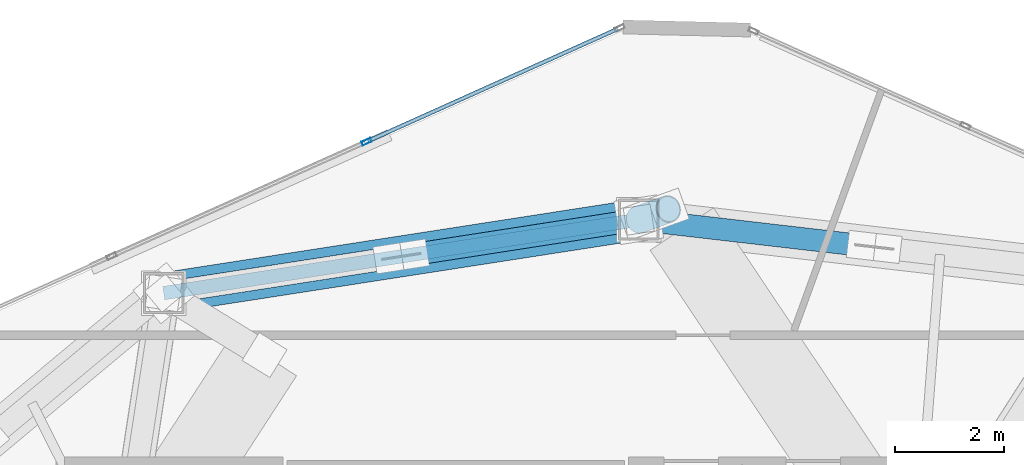
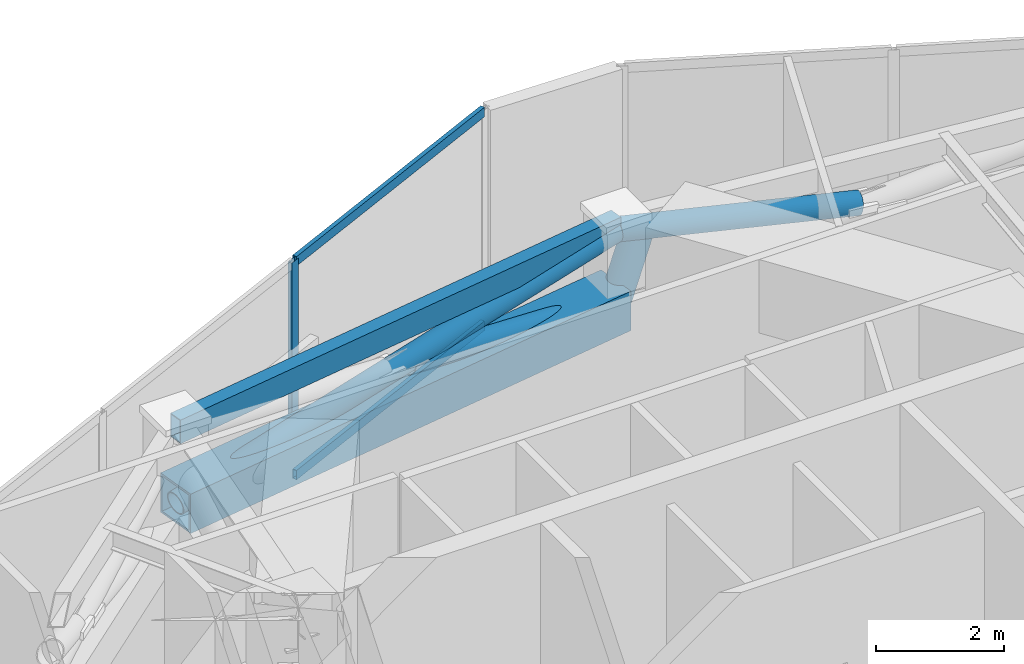
# One storey, part 13 of 21: 8 members, 1 beam, 1 element without a shape of its own.
"""IFC4 building model written with IfcOpenShell, lengths in metres."""

from ifc_helpers import new_model, si_unit, direction, frame, origin, origin_2d, place, context, subcontext, project, spatial, hollow_rectangle, hollow_circle, extrude, source, transform, mapped, material, layer, layer_set, material_profile, profile_set, type_object, type_shapes, element, aggregate, save


model = new_model("IFC4")

# Units and contexts
model_context = context("Model", 3, precision=1e-05, world=origin(), true_north=direction((0.0, 1.0)))
body_context = subcontext(model_context, "Body", "Model", "MODEL_VIEW")
ifc_project = project(units=[si_unit("LENGTHUNIT", "METRE"), si_unit("AREAUNIT", "SQUARE_METRE"), si_unit("VOLUMEUNIT", "CUBIC_METRE"), si_unit("PLANEANGLEUNIT", "RADIAN"), si_unit("MASSUNIT", "GRAM", prefix="KILO")], contexts=[model_context])

# Site, building, storey
site_placement = place(None, origin())
site = spatial("IfcSite", under=ifc_project, at=site_placement, CompositionType="ELEMENT")
building_placement = place(site_placement, origin())
building = spatial("IfcBuilding", under=site, at=building_placement, Name="Talar Marvaseh", CompositionType="ELEMENT")
storey_placement = place(building_placement, frame((0.0, 0.0, 162.39990234375)))
storey = spatial("IfcBuildingStorey", under=building, at=storey_placement, Name="L42", CompositionType="ELEMENT", Elevation=162.39990234375)

# Beam
ifc_material_1 = material(Name="Steel S355", Category="steel")
ifc_material_profile_1 = material_profile(ifc_material_1, hollow_rectangle(XDim=0.25, YDim=0.449951171875, WallThickness=0.01611328125, at=origin_2d()), Name="RHS450x250x16")
ifc_profile_set_1 = profile_set([ifc_material_profile_1], Name="Steel S355")
beam_type = type_object("IfcBeamType", Name="Zone 2 Perimeter Spandrel Beam RHS450x250x16", PredefinedType="SPANDREL", material=ifc_profile_set_1)
beam_placement = place(storey_placement, frame((19.5009765625, 42.123046875, 3.925048828125), z_axis=(0.988248879948, 0.152853365295, 0.0), x_axis=(-0.152853365295, 0.988248879948, 0.0)))
element("IfcBeam", 1, at=beam_placement, inside=storey, type_object=beam_type, Name="L42 Zone 2 Perimeter Spandrel Beam RHS450x250x16", PredefinedType="SPANDREL", context=body_context, shape_type="SweptSolid", body=[
    extrude(hollow_rectangle(XDim=0.25, YDim=0.449951171875, WallThickness=0.01611328125, at=origin_2d()), origin(), (0.0, 0.0, 1.0), 8.82470703125),
])

# Members
ifc_material_2 = material(Name="Steel S460", Category="steel")
ifc_material_profile_2 = material_profile(ifc_material_2, hollow_circle(Radius=0.25390625, WallThickness=0.02001953125, at=origin_2d()), Name="CHS508x20")
ifc_profile_set_2 = profile_set([ifc_material_profile_2], Name="Steel S460")
member_type_1 = type_object("IfcMemberType", Name="Crown Frame Diagonal Brace CHS508x20", PredefinedType="BRACE", material=ifc_profile_set_2)
shared_shape_1 = source(origin(), body_context, "Body", "SweptSolid", [
    extrude(hollow_circle(Radius=0.25390625, WallThickness=0.02001953125, at=origin_2d()), origin(), (0.0, 0.0, 1.0), 1.242919921875),
])
type_shapes(member_type_1, [shared_shape_1])
member_1_placement = place(storey_placement, frame((28.221923828125, 43.471923828125, 2.550048828125), z_axis=(0.437839871689, 0.157732353955, 0.885108327424), x_axis=(-0.338928705408, 0.940812060217, 0.0)))
element("IfcMember", 2, at=member_1_placement, inside=storey, type_object=member_type_1, Name="L42 Setback Transfer Raked Strut 1", PredefinedType="BRACE", context=body_context, shape_type="MappedRepresentation", body=[
    mapped(shared_shape_1, transform((0.0, 0.0, 0.0), x_axis=(1.0, 0.0, 0.0), y_axis=(0.0, 1.0, 0.0), z_axis=(0.0, 0.0, 1.0), scale=1.0)),
])
ifc_material_profile_3 = material_profile(ifc_material_2, hollow_rectangle(XDim=0.75, YDim=0.75, WallThickness=0.0400390625, at=origin_2d()), Name="BOX750x750x40")
ifc_profile_set_3 = profile_set([ifc_material_profile_3], Name="Steel S460")
member_type_2 = type_object("IfcMemberType", Name="Belt Truss Chord Member BOX750x750x40", PredefinedType="CHORD", material=ifc_profile_set_3)
shared_shape_2 = source(origin(), body_context, "Body", "SweptSolid", [
    extrude(hollow_rectangle(XDim=0.75, YDim=0.75, WallThickness=0.0400390625, at=origin_2d()), origin(), (0.0, 0.0, 1.0), 8.82470703125),
])
type_shapes(member_type_2, [shared_shape_2])
member_2_placement = place(storey_placement, frame((19.5009765625, 42.123046875, 2.5), z_axis=(0.988248879948, 0.152853365295, 0.0), x_axis=(-0.152853365295, 0.988248879948, 0.0)))
element("IfcMember", 3, at=member_2_placement, inside=storey, type_object=member_type_2, Name="L42 Belt Truss Bottom Chord 11", PredefinedType="CHORD", context=body_context, shape_type="MappedRepresentation", body=[
    mapped(shared_shape_2, transform((0.0, 0.0, 0.0), x_axis=(1.0, 0.0, 0.0), y_axis=(0.0, 1.0, 0.0), z_axis=(0.0, 0.0, 1.0), scale=1.0)),
])
ifc_material_profile_4 = material_profile(ifc_material_2, hollow_circle(Radius=0.203125, WallThickness=0.01611328125, at=origin_2d()), Name="CHS406x16")
ifc_profile_set_4 = profile_set([ifc_material_profile_4], Name="Steel S460")
member_type_3 = type_object("IfcMemberType", Name="Belt Truss Diagonal Brace CHS406x16", PredefinedType="BRACE", material=ifc_profile_set_4)
shared_shape_3 = source(origin(), body_context, "Body", "SweptSolid", [
    extrude(hollow_circle(Radius=0.203125, WallThickness=0.01611328125, at=origin_2d()), origin(), (0.0, 0.0, 1.0), 8.92724609375),
])
member_3_placement = place(storey_placement, frame((19.5009765625, 42.123046875, 2.5), z_axis=(0.976882330054, 0.151095290545, 0.151232028364), x_axis=(-0.152853365295, 0.988248879948, 0.0)))
element("IfcMember", 4, at=member_3_placement, inside=storey, type_object=member_type_3, Name="L42 Belt Truss Continuous Diagonal 11", PredefinedType="BRACE", context=body_context, shape_type="MappedRepresentation", body=[
    mapped(shared_shape_3, transform((0.0, 0.0, 0.0), x_axis=(1.0, 0.0, 0.0), y_axis=(0.0, 1.0, 0.0), z_axis=(0.0, 0.0, 1.0), scale=1.0)),
])
shared_shape_4 = source(origin(), body_context, "Body", "SweptSolid", [
    extrude(hollow_circle(Radius=0.203125, WallThickness=0.01611328125, at=origin_2d()), origin(), (0.0, 0.0, 1.0), 4.2236328125),
])
member_4_placement = place(storey_placement, frame((28.221923828125, 43.471923828125, 2.5), z_axis=(-0.976875862819, -0.151097840557, 0.151271250473), x_axis=(0.152856873015, -0.988248337399, 0.0)))
element("IfcMember", 5, at=member_4_placement, inside=storey, type_object=member_type_3, Name="L42 Belt Truss Split Diagonal Lower 11", PredefinedType="BRACE", context=body_context, shape_type="MappedRepresentation", body=[
    mapped(shared_shape_4, transform((0.0, 0.0, 0.0), x_axis=(1.0, 0.0, 0.0), y_axis=(0.0, 1.0, 0.0), z_axis=(0.0, 0.0, 1.0), scale=1.0)),
])
shared_shape_5 = source(origin(), body_context, "Body", "SweptSolid", [
    extrude(hollow_circle(Radius=0.203125, WallThickness=0.01611328125, at=origin_2d()), origin(), (0.0, 0.0, 1.0), 4.162841796875),
])
type_shapes(member_type_3, [shared_shape_3, shared_shape_4, shared_shape_5])
member_5_placement = place(storey_placement, frame((32.308349609375, 42.998779296875, 3.2119140625), z_axis=(-0.981621557015, 0.113656504809, 0.153301395031), x_axis=(-0.115016054522, -0.993363632917, 0.0)))
element("IfcMember", 6, at=member_5_placement, inside=storey, type_object=member_type_3, Name="L42 Belt Truss Split Diagonal Upper 12", PredefinedType="BRACE", context=body_context, shape_type="MappedRepresentation", body=[
    mapped(shared_shape_5, transform((0.0, 0.0, 0.0), x_axis=(1.0, 0.0, 0.0), y_axis=(0.0, 1.0, 0.0), z_axis=(0.0, 0.0, 1.0), scale=1.0)),
])

# Curtain wall, members
ifc_material_3 = material(Name="Architectural Aluminium", Category="aluminium")
ifc_layer = layer(ifc_material_3, 0.199951171875)
ifc_layer_set = layer_set([ifc_layer], Name="Architectural Aluminium")
curtain_wall_type = type_object("IfcCurtainWallType", Name="Unitised Acoustic Library Curtain Wall Z2", PredefinedType="NOTDEFINED", material=ifc_layer_set)
curtain_wall_placement = place(storey_placement, origin())
curtain_wall = element("IfcCurtainWall", 7, at=curtain_wall_placement, inside=storey, type_object=curtain_wall_type, Name="L42 Unitised Acoustic Library Curtain Wall Z2", PredefinedType="NOTDEFINED")
ifc_material_profile_5 = material_profile(ifc_material_3, hollow_rectangle(XDim=0.074951171875, YDim=0.179931640625, WallThickness=0.0048828125, at=origin_2d()), Name="RHS180x75x5")
ifc_profile_set_5 = profile_set([ifc_material_profile_5], Name="Architectural Aluminium")
member_type_4 = type_object("IfcMemberType", Name="Unitised Curtain Wall Transom RHS180x75x5", PredefinedType="USERDEFINED", material=ifc_profile_set_5)
shared_shape_6 = source(origin(), body_context, "Body", "SweptSolid", [
    extrude(hollow_rectangle(XDim=0.074951171875, YDim=0.179931640625, WallThickness=0.0048828125, at=origin_2d()), origin(), (0.0, 0.0, 1.0), 5.017578125),
])
type_shapes(member_type_4, [shared_shape_6])
member_6_placement = place(storey_placement, frame((23.2607421875, 44.91845703125, 0.03759765625), z_axis=(0.912241702767, 0.409652384019, 0.0), x_axis=(-0.409652384019, 0.912241702767, 0.0)))
member_6 = element("IfcMember", 8, at=member_6_placement, type_object=member_type_4, Name="CW-Z2 transom 3.1", ObjectType="TRANSOM", PredefinedType="USERDEFINED", context=body_context, shape_type="MappedRepresentation", body=[
    mapped(shared_shape_6, transform((0.0, 0.0, 0.0), x_axis=(1.0, 0.0, 0.0), y_axis=(0.0, 1.0, 0.0), z_axis=(0.0, 0.0, 1.0), scale=1.0)),
])
member_7_placement = place(storey_placement, frame((23.2607421875, 44.91845703125, 4.112548828125), z_axis=(0.912241702767, 0.409652384019, 0.0), x_axis=(-0.409652384019, 0.912241702767, 0.0)))
member_7 = element("IfcMember", 9, at=member_7_placement, type_object=member_type_4, Name="CW-Z2 transom 3.2", ObjectType="TRANSOM", PredefinedType="USERDEFINED", context=body_context, shape_type="MappedRepresentation", body=[
    mapped(shared_shape_6, transform((0.0, 0.0, 0.0), x_axis=(1.0, 0.0, 0.0), y_axis=(0.0, 1.0, 0.0), z_axis=(0.0, 0.0, 1.0), scale=1.0)),
])
ifc_material_profile_6 = material_profile(ifc_material_3, hollow_rectangle(XDim=0.074951171875, YDim=0.179931640625, WallThickness=0.0048828125, at=origin_2d()), Name="RHS180x75x5")
ifc_profile_set_6 = profile_set([ifc_material_profile_6], Name="Architectural Aluminium")
member_type_5 = type_object("IfcMemberType", Name="Unitised Curtain Wall Standard Mullion RHS180x75x5", PredefinedType="MULLION", material=ifc_profile_set_6)
shared_shape_7 = source(origin(), body_context, "Body", "SweptSolid", [
    extrude(hollow_rectangle(XDim=0.074951171875, YDim=0.179931640625, WallThickness=0.0048828125, at=origin_2d()), origin(), (0.0, 0.0, 1.0), 4.150146484375),
])
type_shapes(member_type_5, [shared_shape_7])
member_8_placement = place(storey_placement, frame((23.226318359375, 44.903076171875, 0.0), z_axis=(0.0, 0.0, 1.0), x_axis=(-0.409639401688, 0.912247532518, 0.0)))
member_8 = element("IfcMember", 10, at=member_8_placement, type_object=member_type_5, Name="CW-Z2 mullion 3", PredefinedType="MULLION", context=body_context, shape_type="MappedRepresentation", body=[
    mapped(shared_shape_7, transform((0.0, 0.0, 0.0), x_axis=(1.0, 0.0, 0.0), y_axis=(0.0, 1.0, 0.0), z_axis=(0.0, 0.0, 1.0), scale=1.0)),
])
aggregate(curtain_wall, [member_8, member_6, member_7])

save(model, "model.ifc")
